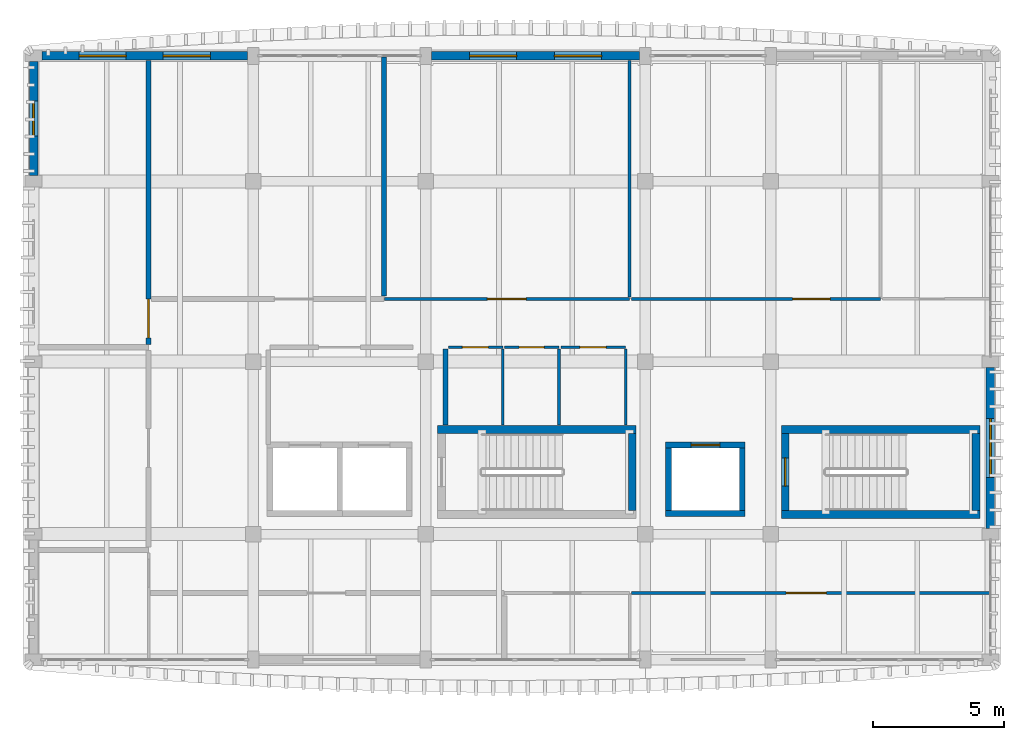
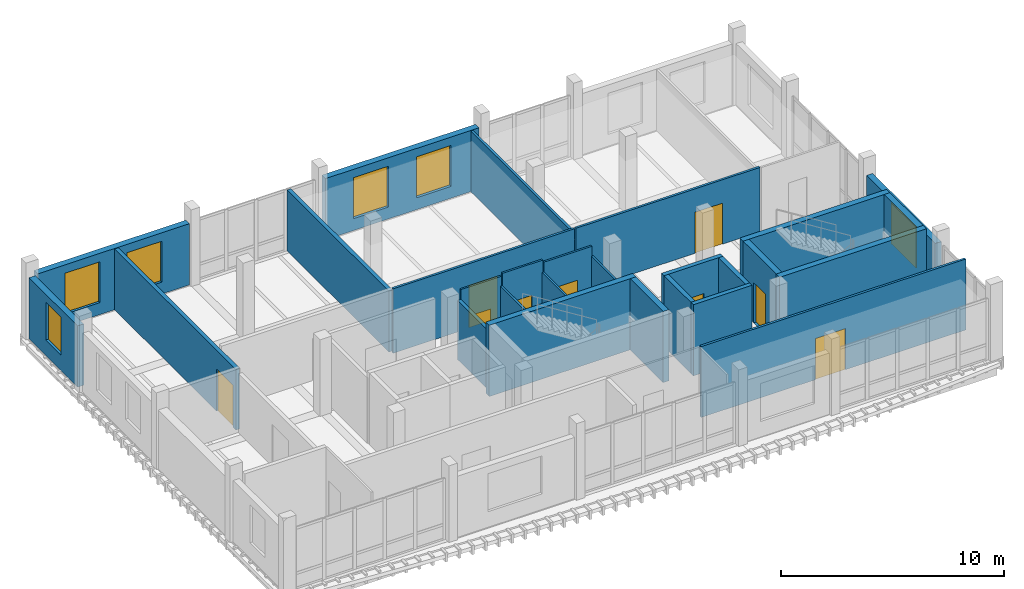
# One storey, part 8 of 16: 27 walls, 9 doors, 6 windows, 15 openings.
"""IFC4 building model written with IfcOpenShell, lengths in metres."""

from ifc_helpers import new_model, si_unit, direction, frame, frame_2d, origin, place, context, subcontext, project, spatial, rectangle, extrude, material, layer, layer_set, type_object, element, fill, save


model = new_model("IFC4")

# Units and contexts
model_context = context("Model", 3, precision=1e-05, world=origin(), true_north=direction((0.0, 1.0)))
body_context = subcontext(model_context, "Body", "Model", "MODEL_VIEW")
ifc_project = project(units=[si_unit("LENGTHUNIT", "METRE"), si_unit("AREAUNIT", "SQUARE_METRE"), si_unit("VOLUMEUNIT", "CUBIC_METRE"), si_unit("PLANEANGLEUNIT", "RADIAN"), si_unit("MASSUNIT", "GRAM", prefix="KILO")], contexts=[model_context])

# Site, building, storey
site_placement = place(None, origin())
site = spatial("IfcSite", under=ifc_project, at=site_placement, CompositionType="ELEMENT")
building_placement = place(site_placement, origin())
building = spatial("IfcBuilding", under=site, at=building_placement, Name="Dornvale Research Institute", CompositionType="ELEMENT")
storey_placement = place(building_placement, frame((0.0, 0.0, 42.60009765625)))
storey = spatial("IfcBuildingStorey", under=building, at=storey_placement, Name="L09", CompositionType="ELEMENT", Elevation=42.60009765625)

# Wall, opening, door
ifc_material_1 = material(Name="Acoustic Insulated Double-Stud Laboratory Partition")
ifc_layer_1 = layer(ifc_material_1, 0.1201171875)
ifc_layer_set_1 = layer_set([ifc_layer_1], Name="Acoustic Insulated Double-Stud Laboratory Partition")
wall_type_1 = type_object("IfcWallType", Name="Partition_Dry_120", PredefinedType="PARTITIONING", material=ifc_layer_set_1)
wall_1_placement = place(storey_placement, frame((18.215087890625, 112.800048828125, 0.0), z_axis=(0.0, 0.0, 1.0), x_axis=(1.0, 0.0, 0.0)))
wall_1 = element("IfcWall", 1, at=wall_1_placement, inside=storey, type_object=wall_type_1, Name="L09 V5 interior partition #594", PredefinedType="PARTITIONING", context=body_context, shape_type="SweptSolid", body=[
    extrude(rectangle(XDim=9.385009765625, YDim=0.1201171875, at=frame_2d((4.6923828125, 0.0))), origin(), (0.0, 0.0, 1.0), 3.52978515625),
])
opening_1_placement = place(wall_1_placement, frame((3.945068359375, 0.0, 0.0)))
opening_1 = element("IfcOpeningElement", 2, at=opening_1_placement, cuts=wall_1, Name="Opening ID-13", PredefinedType="OPENING", context=body_context, shape_type="SweptSolid", body=[
    extrude(rectangle(XDim=1.47998046875, YDim=2.300048828125, at=frame_2d((0.739990234375, 1.14990234375))), frame((0.0, 0.074951171875, 0.0), z_axis=(0.0, -1.0, 0.0), x_axis=(1.0, 0.0, 0.0)), (0.0, 0.0, 1.0), 0.150146484375),
])
ifc_material_2 = material(Name="Insulated Fire-Rated Hollow Metal Door Assembly")
door_type_1 = type_object("IfcDoorType", Name="Door_Archive_1480x2300", OperationType="SINGLE_SWING_LEFT", PredefinedType="DOOR", material=ifc_material_2)
door_1_placement = place(opening_1_placement, origin())
door_1 = element("IfcDoor", 3, at=door_1_placement, inside=storey, type_object=door_type_1, Name="L09 Institute Library Reading Room door #252", OperationType="SINGLE_SWING_LEFT", OverallHeight=2.300048828125, OverallWidth=1.47998046875, PredefinedType="DOOR", context=body_context, shape_type="SweptSolid", body=[
    extrude(rectangle(XDim=1.47998046875, YDim=2.300048828125, at=frame_2d((0.739990234375, 1.14990234375))), frame((0.0, 0.02490234375, 0.0), z_axis=(0.0, -1.0, 0.0), x_axis=(1.0, 0.0, 0.0)), (0.0, 0.0, 1.0), 0.050048828125),
])
fill(opening_1, door_1)

# Wall
wall_2_placement = place(storey_placement, frame((27.60009765625, 112.875, 0.0), z_axis=(0.0, 0.0, 1.0), x_axis=(0.0, 1.0, 0.0)))
element("IfcWall", 4, at=wall_2_placement, inside=storey, type_object=wall_type_1, Name="L09 V5 interior partition #595", PredefinedType="PARTITIONING", context=body_context, shape_type="SweptSolid", body=[
    extrude(rectangle(XDim=9.050048828125, YDim=0.1201171875, at=frame_2d((4.52490234375, 0.0))), origin(), (0.0, 0.0, 1.0), 3.329833984375),
])

# Wall, opening, door
wall_3_placement = place(storey_placement, frame((27.675048828125, 112.800048828125, 0.0), z_axis=(0.0, 0.0, 1.0), x_axis=(1.0, 0.0, 0.0)))
wall_3 = element("IfcWall", 5, at=wall_3_placement, inside=storey, type_object=wall_type_1, Name="L09 V5 interior partition #596", PredefinedType="PARTITIONING", context=body_context, shape_type="SweptSolid", body=[
    extrude(rectangle(XDim=9.52490234375, YDim=0.1201171875, at=frame_2d((4.762451171875, 0.0))), origin(), (0.0, 0.0, 1.0), 3.52978515625),
])
opening_2_placement = place(wall_3_placement, frame((6.155029296875, 0.0, 0.0)))
opening_2 = element("IfcOpeningElement", 6, at=opening_2_placement, cuts=wall_3, Name="Opening ID-07", PredefinedType="OPENING", context=body_context, shape_type="SweptSolid", body=[
    extrude(rectangle(XDim=1.43994140625, YDim=2.25, at=frame_2d((0.719970703125, 1.125))), frame((0.0, 0.074951171875, 0.0), z_axis=(0.0, -1.0, 0.0), x_axis=(1.0, 0.0, 0.0)), (0.0, 0.0, 1.0), 0.150146484375),
])
ifc_material_3 = material(Name="Insulated Fire-Rated Hollow Metal Door Assembly")
door_type_2 = type_object("IfcDoorType", Name="Door_DryLab_1440x2250", OperationType="SINGLE_SWING_LEFT", PredefinedType="DOOR", material=ifc_material_3)
door_2_placement = place(opening_2_placement, origin())
door_2 = element("IfcDoor", 7, at=door_2_placement, inside=storey, type_object=door_type_2, Name="L09 Special Collections Conservation Laboratory door #253", OperationType="SINGLE_SWING_RIGHT", OverallHeight=2.25, OverallWidth=1.43994140625, PredefinedType="DOOR", context=body_context, shape_type="SweptSolid", body=[
    extrude(rectangle(XDim=1.43994140625, YDim=2.25, at=frame_2d((0.719970703125, 1.125))), frame((0.0, 0.02490234375, 0.0), z_axis=(0.0, -1.0, 0.0), x_axis=(1.0, 0.0, 0.0)), (0.0, 0.0, 1.0), 0.050048828125),
])
fill(opening_2, door_2)

wall_4_placement = place(storey_placement, frame((27.6650390625, 101.550048828125, 0.0), z_axis=(0.0, 0.0, 1.0), x_axis=(1.0, 0.0, 0.0)))
wall_4 = element("IfcWall", 8, at=wall_4_placement, inside=storey, type_object=wall_type_1, Name="L09 V5 interior partition #604", PredefinedType="PARTITIONING", context=body_context, shape_type="SweptSolid", body=[
    extrude(rectangle(XDim=13.695068359375, YDim=0.1201171875, at=frame_2d((6.84765625, 0.0))), origin(), (0.0, 0.0, 1.0), 3.8798828125),
])
opening_3_placement = place(wall_4_placement, frame((5.925048828125, 0.0, 0.0)))
opening_3 = element("IfcOpeningElement", 9, at=opening_3_placement, cuts=wall_4, Name="Opening ID-12", PredefinedType="OPENING", context=body_context, shape_type="SweptSolid", body=[
    extrude(rectangle(XDim=1.5400390625, YDim=2.25, at=frame_2d((0.77001953125, 1.125))), frame((0.0, 0.074951171875, 0.0), z_axis=(0.0, -1.0, 0.0), x_axis=(1.0, 0.0, 0.0)), (0.0, 0.0, 1.0), 0.150146484375),
])
ifc_material_4 = material(Name="Phenolic-Faced Solid-Core Laboratory Door Assembly")
door_type_3 = type_object("IfcDoorType", Name="Door_Seminar_1540x2250", OperationType="SINGLE_SWING_LEFT", PredefinedType="DOOR", material=ifc_material_4)
door_3_placement = place(opening_3_placement, origin())
door_3 = element("IfcDoor", 10, at=door_3_placement, inside=storey, type_object=door_type_3, Name="L09 Fellows Seminar Reading Room L09 door #258", OperationType="SINGLE_SWING_LEFT", OverallHeight=2.25, OverallWidth=1.5400390625, PredefinedType="DOOR", context=body_context, shape_type="SweptSolid", body=[
    extrude(rectangle(XDim=1.5400390625, YDim=2.25, at=frame_2d((0.77001953125, 1.125))), frame((0.0, 0.02490234375, 0.0), z_axis=(0.0, -1.0, 0.0), x_axis=(1.0, 0.0, 0.0)), (0.0, 0.0, 1.0), 0.050048828125),
])
fill(opening_3, door_3)

# Wall
ifc_material_5 = material(Name="Fire-Rated Gypsum Board on Cold-Formed Steel Studs", Category="steel")
ifc_layer_2 = layer(ifc_material_5, 0.179931640625)
ifc_layer_set_2 = layer_set([ifc_layer_2], Name="Fire-Rated Gypsum Board on Cold-Formed Steel Studs")
wall_type_2 = type_object("IfcWallType", Name="Partition_FireLobby_180", PredefinedType="PARTITIONING", material=ifc_layer_set_2)
wall_5_placement = place(storey_placement, frame((20.56005859375, 107.97998046875, 0.0), z_axis=(0.0, 0.0, 1.0), x_axis=(0.0, 1.0, 0.0)))
element("IfcWall", 11, at=wall_5_placement, inside=storey, type_object=wall_type_2, Name="L09 Fire Service Access Elevator Lobby east rated partition", PredefinedType="PARTITIONING", context=body_context, shape_type="SweptSolid", body=[
    extrude(rectangle(XDim=2.909912109375, YDim=0.179931640625, at=frame_2d((1.455078125, 0.0))), origin(), (0.0, 0.0, 1.0), 3.22998046875),
])

# Wall, opening, door
ifc_material_6 = material(Name="Fire-Rated Gypsum Board on Cold-Formed Steel Studs", Category="steel")
ifc_layer_3 = layer(ifc_material_6, 0.199951171875)
ifc_layer_set_3 = layer_set([ifc_layer_3], Name="Fire-Rated Gypsum Board on Cold-Formed Steel Studs")
wall_type_3 = type_object("IfcWallType", Name="Partition_FireWall_200", PredefinedType="PARTITIONING", material=ifc_layer_set_3)
wall_6_placement = place(storey_placement, frame((9.199951171875, 111.06494140625, 0.0), z_axis=(0.0, 0.0, 1.0), x_axis=(0.0, 1.0, 0.0)))
wall_6 = element("IfcWall", 12, at=wall_6_placement, inside=storey, type_object=wall_type_3, Name="L09 V5 interior partition #591", PredefinedType="PARTITIONING", context=body_context, shape_type="SweptSolid", body=[
    extrude(rectangle(XDim=10.860107421875, YDim=0.199951171875, at=frame_2d((5.43017578125, 0.0))), origin(), (0.0, 0.0, 1.0), 3.329833984375),
])
opening_4_placement = place(wall_6_placement, frame((0.25, 0.0, 0.0)))
opening_4 = element("IfcOpeningElement", 13, at=opening_4_placement, cuts=wall_6, Name="Opening ID-13", PredefinedType="OPENING", context=body_context, shape_type="SweptSolid", body=[
    extrude(rectangle(XDim=1.47998046875, YDim=2.300048828125, at=frame_2d((0.739990234375, 1.14990234375))), frame((0.0, 0.114990234375, 0.0), z_axis=(0.0, -1.0, 0.0), x_axis=(1.0, 0.0, 0.0)), (0.0, 0.0, 1.0), 0.22998046875),
])
door_4_placement = place(opening_4_placement, origin())
door_4 = element("IfcDoor", 14, at=door_4_placement, inside=storey, type_object=door_type_1, Name="L09 Scientific Archive Stack Room West Alcove door #250", OperationType="SINGLE_SWING_LEFT", OverallHeight=2.300048828125, OverallWidth=1.47998046875, PredefinedType="DOOR", context=body_context, shape_type="SweptSolid", body=[
    extrude(rectangle(XDim=1.47998046875, YDim=2.300048828125, at=frame_2d((0.739990234375, 1.14990234375))), frame((0.0, 0.02490234375, 0.0), z_axis=(0.0, -1.0, 0.0), x_axis=(1.0, 0.0, 0.0)), (0.0, 0.0, 1.0), 0.050048828125),
])
fill(opening_4, door_4)

# Wall
wall_7_placement = place(storey_placement, frame((18.199951171875, 112.9150390625, 0.0), z_axis=(0.0, 0.0, 1.0), x_axis=(0.0, 1.0, 0.0)))
element("IfcWall", 15, at=wall_7_placement, inside=storey, type_object=wall_type_3, Name="L09 V5 interior partition #593", PredefinedType="PARTITIONING", context=body_context, shape_type="SweptSolid", body=[
    extrude(rectangle(XDim=9.14501953125, YDim=0.199951171875, at=frame_2d((4.572509765625, 0.0))), origin(), (0.0, 0.0, 1.0), 3.329833984375),
])

# Wall, opening, door
ifc_material_7 = material(Name="Acoustic Insulated Double-Stud Laboratory Partition")
ifc_layer_4 = layer(ifc_material_7, 0.10009765625)
ifc_layer_set_4 = layer_set([ifc_layer_4], Name="Acoustic Insulated Double-Stud Laboratory Partition")
wall_type_4 = type_object("IfcWallType", Name="Partition_Office_100", PredefinedType="PARTITIONING", material=ifc_layer_set_4)
wall_8_placement = place(storey_placement, frame((20.6650390625, 110.949951171875, 0.0), z_axis=(0.0, 0.0, 1.0), x_axis=(1.0, 0.0, 0.0)))
wall_8 = element("IfcWall", 16, at=wall_8_placement, inside=storey, type_object=wall_type_4, Name="L09 V5 interior partition #582", PredefinedType="PARTITIONING", context=body_context, shape_type="SweptSolid", body=[
    extrude(rectangle(XDim=2.0849609375, YDim=0.10009765625, at=frame_2d((1.04248046875, 0.0))), origin(), (0.0, 0.0, 1.0), 3.744873046875),
])
opening_5_placement = place(wall_8_placement, frame((0.534912109375, 0.0, 0.0)))
opening_5 = element("IfcOpeningElement", 17, at=opening_5_placement, cuts=wall_8, Name="Opening ID-24", PredefinedType="OPENING", context=body_context, shape_type="SweptSolid", body=[
    extrude(rectangle(XDim=1.0, YDim=2.14990234375, at=frame_2d((0.5, 1.074951171875))), frame((0.0, 0.06494140625, 0.0), z_axis=(0.0, -1.0, 0.0), x_axis=(1.0, 0.0, 0.0)), (0.0, 0.0, 1.0), 0.130126953125),
])
ifc_material_8 = material(Name="Phenolic-Faced Solid-Core Laboratory Door Assembly")
door_type_4 = type_object("IfcDoorType", Name="Door_AccWC_1000x2150", OperationType="SINGLE_SWING_LEFT", PredefinedType="DOOR", material=ifc_material_8)
door_5_placement = place(opening_5_placement, origin())
door_5 = element("IfcDoor", 18, at=door_5_placement, inside=storey, type_object=door_type_4, Name="L09 Male Restroom L09 door #246", OperationType="SINGLE_SWING_LEFT", OverallHeight=2.14990234375, OverallWidth=1.0, PredefinedType="DOOR", context=body_context, shape_type="SweptSolid", body=[
    extrude(rectangle(XDim=1.0, YDim=2.14990234375, at=frame_2d((0.5, 1.074951171875))), frame((0.0, 0.02490234375, 0.0), z_axis=(0.0, -1.0, 0.0), x_axis=(1.0, 0.0, 0.0)), (0.0, 0.0, 1.0), 0.050048828125),
])
fill(opening_5, door_5)

# Wall
wall_9_placement = place(storey_placement, frame((22.75, 107.97998046875, 0.0), z_axis=(0.0, 0.0, 1.0), x_axis=(0.0, 1.0, 0.0)))
element("IfcWall", 19, at=wall_9_placement, inside=storey, type_object=wall_type_4, Name="L09 V5 interior partition #583", PredefinedType="PARTITIONING", context=body_context, shape_type="SweptSolid", body=[
    extrude(rectangle(XDim=2.905029296875, YDim=0.10009765625, at=frame_2d((1.45263671875, 0.0))), origin(), (0.0, 0.0, 1.0), 3.22998046875),
])

# Wall, opening, door
wall_10_placement = place(storey_placement, frame((22.81494140625, 110.949951171875, 0.0), z_axis=(0.0, 0.0, 1.0), x_axis=(1.0, 0.0, 0.0)))
wall_10 = element("IfcWall", 20, at=wall_10_placement, inside=storey, type_object=wall_type_4, Name="L09 V5 interior partition #584", PredefinedType="PARTITIONING", context=body_context, shape_type="SweptSolid", body=[
    extrude(rectangle(XDim=2.0849609375, YDim=0.10009765625, at=frame_2d((1.04248046875, 0.0))), origin(), (0.0, 0.0, 1.0), 3.8798828125),
])
opening_6_placement = place(wall_10_placement, frame((0.56005859375, 0.0, 0.0)))
opening_6 = element("IfcOpeningElement", 21, at=opening_6_placement, cuts=wall_10, Name="Opening ID-23", PredefinedType="OPENING", context=body_context, shape_type="SweptSolid", body=[
    extrude(rectangle(XDim=0.949951171875, YDim=2.14990234375, at=frame_2d((0.47509765625, 1.074951171875))), frame((0.0, 0.06494140625, 0.0), z_axis=(0.0, -1.0, 0.0), x_axis=(1.0, 0.0, 0.0)), (0.0, 0.0, 1.0), 0.130126953125),
])
ifc_material_9 = material(Name="Phenolic-Faced Solid-Core Laboratory Door Assembly")
door_type_5 = type_object("IfcDoorType", Name="Door_WC_950x2150", OperationType="SINGLE_SWING_LEFT", PredefinedType="DOOR", material=ifc_material_9)
door_6_placement = place(opening_6_placement, origin())
door_6 = element("IfcDoor", 22, at=door_6_placement, inside=storey, type_object=door_type_5, Name="L09 Female Restroom L09 door #247", OperationType="SINGLE_SWING_RIGHT", OverallHeight=2.14990234375, OverallWidth=0.949951171875, PredefinedType="DOOR", context=body_context, shape_type="SweptSolid", body=[
    extrude(rectangle(XDim=0.949951171875, YDim=2.14990234375, at=frame_2d((0.47509765625, 1.074951171875))), frame((0.0, 0.02490234375, 0.0), z_axis=(0.0, -1.0, 0.0), x_axis=(1.0, 0.0, 0.0)), (0.0, 0.0, 1.0), 0.050048828125),
])
fill(opening_6, door_6)

# Wall
wall_11_placement = place(storey_placement, frame((24.89990234375, 107.97998046875, 0.0), z_axis=(0.0, 0.0, 1.0), x_axis=(0.0, 1.0, 0.0)))
element("IfcWall", 23, at=wall_11_placement, inside=storey, type_object=wall_type_4, Name="L09 V5 interior partition #585", PredefinedType="PARTITIONING", context=body_context, shape_type="SweptSolid", body=[
    extrude(rectangle(XDim=2.905029296875, YDim=0.10009765625, at=frame_2d((1.45263671875, 0.0))), origin(), (0.0, 0.0, 1.0), 3.22998046875),
])

# Wall, opening, door
wall_12_placement = place(storey_placement, frame((24.965087890625, 110.949951171875, 0.0), z_axis=(0.0, 0.0, 1.0), x_axis=(1.0, 0.0, 0.0)))
wall_12 = element("IfcWall", 24, at=wall_12_placement, inside=storey, type_object=wall_type_4, Name="L09 V5 interior partition #586", PredefinedType="PARTITIONING", context=body_context, shape_type="SweptSolid", body=[
    extrude(rectangle(XDim=2.48486328125, YDim=0.10009765625, at=frame_2d((1.242431640625, 0.0))), origin(), (0.0, 0.0, 1.0), 3.744873046875),
])
opening_7_placement = place(wall_12_placement, frame((0.735107421875, 0.0, 0.0)))
opening_7 = element("IfcOpeningElement", 25, at=opening_7_placement, cuts=wall_12, Name="Opening ID-24", PredefinedType="OPENING", context=body_context, shape_type="SweptSolid", body=[
    extrude(rectangle(XDim=1.0, YDim=2.14990234375, at=frame_2d((0.5, 1.074951171875))), frame((0.0, 0.06494140625, 0.0), z_axis=(0.0, -1.0, 0.0), x_axis=(1.0, 0.0, 0.0)), (0.0, 0.0, 1.0), 0.130126953125),
])
door_7_placement = place(opening_7_placement, origin())
door_7 = element("IfcDoor", 26, at=door_7_placement, inside=storey, type_object=door_type_4, Name="L09 Accessible Restroom L09 door #248", OperationType="SINGLE_SWING_LEFT", OverallHeight=2.14990234375, OverallWidth=1.0, PredefinedType="DOOR", context=body_context, shape_type="SweptSolid", body=[
    extrude(rectangle(XDim=1.0, YDim=2.14990234375, at=frame_2d((0.5, 1.074951171875))), frame((0.0, 0.02490234375, 0.0), z_axis=(0.0, -1.0, 0.0), x_axis=(1.0, 0.0, 0.0)), (0.0, 0.0, 1.0), 0.050048828125),
])
fill(opening_7, door_7)

# Walls
wall_13_placement = place(storey_placement, frame((27.449951171875, 107.97998046875, 0.0), z_axis=(0.0, 0.0, 1.0), x_axis=(0.0, 1.0, 0.0)))
element("IfcWall", 27, at=wall_13_placement, inside=storey, type_object=wall_type_4, Name="L09 V5 interior partition #587", PredefinedType="PARTITIONING", context=body_context, shape_type="SweptSolid", body=[
    extrude(rectangle(XDim=2.905029296875, YDim=0.10009765625, at=frame_2d((1.45263671875, 0.0))), origin(), (0.0, 0.0, 1.0), 3.22998046875),
])
ifc_material_10 = material(Name="Concrete f'c 50 MPa (C40/50)", Category="concrete")
ifc_layer_5 = layer(ifc_material_10, 0.300048828125)
ifc_layer_set_5 = layer_set([ifc_layer_5], Name="Concrete f'c 50 MPa (C40/50)")
wall_type_5 = type_object("IfcWallType", Name="ShearWall_Core_300", PredefinedType="SHEAR", material=ifc_layer_set_5)
wall_14_placement = place(storey_placement, frame((20.25, 107.81005859375, 0.0), z_axis=(0.0, 0.0, 1.0), x_axis=(1.0, 0.0, 0.0)))
element("IfcWall", 28, at=wall_14_placement, inside=storey, type_object=wall_type_5, Name="L09 ST-1 shaft shear wall north", PredefinedType="SHEAR", context=body_context, shape_type="SweptSolid", body=[
    extrude(rectangle(XDim=7.60009765625, YDim=0.300048828125, at=frame_2d((3.800048828125, 0.0))), origin(), (0.0, 0.0, 1.0), 3.89990234375),
])
wall_15_placement = place(storey_placement, frame((27.699951171875, 104.699951171875, 0.0), z_axis=(0.0, 0.0, 1.0), x_axis=(0.0, 1.0, 0.0)))
element("IfcWall", 29, at=wall_15_placement, inside=storey, type_object=wall_type_5, Name="L09 ST-1 shaft shear wall east", PredefinedType="SHEAR", context=body_context, shape_type="SweptSolid", body=[
    extrude(rectangle(XDim=2.9599609375, YDim=0.300048828125, at=frame_2d((1.47998046875, 0.0))), origin(), (0.0, 0.0, 1.0), 3.89990234375),
])
for number, where, z_axis, x_axis, name in (
    (30, (33.39990234375, 104.550048828125, 0.0), (0.0, 0.0, 1.0), (1.0, 0.0, 0.0), "L09 ST-2 shaft shear wall south"),
    (31, (33.39990234375, 107.81005859375, 0.0), (0.0, 0.0, 1.0), (1.0, 0.0, 0.0), "L09 ST-2 shaft shear wall north"),
):
    element("IfcWall", number, at=place(storey_placement, frame(where, z_axis=z_axis, x_axis=x_axis)), inside=storey, type_object=wall_type_5, Name=name, PredefinedType="SHEAR", context=body_context, shape_type="SweptSolid", body=[
        extrude(rectangle(XDim=7.60009765625, YDim=0.300048828125, at=frame_2d((3.800048828125, 0.0))), origin(), (0.0, 0.0, 1.0), 3.89990234375),
    ])

# Wall, opening, door
wall_16_placement = place(storey_placement, frame((33.550048828125, 104.699951171875, 0.0), z_axis=(0.0, 0.0, 1.0), x_axis=(0.0, 1.0, 0.0)))
wall_16 = element("IfcWall", 32, at=wall_16_placement, inside=storey, type_object=wall_type_5, Name="L09 ST-2 shaft shear wall west", PredefinedType="SHEAR", context=body_context, shape_type="SweptSolid", body=[
    extrude(rectangle(XDim=2.9599609375, YDim=0.300048828125, at=frame_2d((1.47998046875, 0.0))), origin(), (0.0, 0.0, 1.0), 3.89990234375),
])
opening_8_placement = place(wall_16_placement, frame((0.93994140625, 0.0, 0.0)))
opening_8 = element("IfcOpeningElement", 33, at=opening_8_placement, cuts=wall_16, Name="Opening SD-02", PredefinedType="OPENING", context=body_context, shape_type="SweptSolid", body=[
    extrude(rectangle(XDim=1.080078125, YDim=2.199951171875, at=frame_2d((0.5400390625, 1.10009765625))), frame((0.0, 0.1650390625, 0.0), z_axis=(0.0, -1.0, 0.0), x_axis=(1.0, 0.0, 0.0)), (0.0, 0.0, 1.0), 0.330078125),
])
ifc_material_11 = material(Name="Insulated Fire-Rated Hollow Metal Door Assembly")
door_type_6 = type_object("IfcDoorType", Name="Door_Stair_1080x2200", OperationType="SINGLE_SWING_LEFT", PredefinedType="DOOR", material=ifc_material_11)
door_8_placement = place(opening_8_placement, origin())
door_8 = element("IfcDoor", 34, at=door_8_placement, inside=storey, type_object=door_type_6, Name="L09 ST-2 exit stair door #23", OperationType="SINGLE_SWING_RIGHT", OverallHeight=2.199951171875, OverallWidth=1.080078125, PredefinedType="DOOR", context=body_context, shape_type="SweptSolid", body=[
    extrude(rectangle(XDim=1.080078125, YDim=2.199951171875, at=frame_2d((0.5400390625, 1.10009765625))), frame((0.0, 0.02490234375, 0.0), z_axis=(0.0, -1.0, 0.0), x_axis=(1.0, 0.0, 0.0)), (0.0, 0.0, 1.0), 0.050048828125),
])
fill(opening_8, door_8)

# Walls
wall_17_placement = place(storey_placement, frame((40.85009765625, 104.699951171875, 0.0), z_axis=(0.0, 0.0, 1.0), x_axis=(0.0, 1.0, 0.0)))
element("IfcWall", 35, at=wall_17_placement, inside=storey, type_object=wall_type_5, Name="L09 ST-2 shaft shear wall east", PredefinedType="SHEAR", context=body_context, shape_type="SweptSolid", body=[
    extrude(rectangle(XDim=2.9599609375, YDim=0.300048828125, at=frame_2d((1.47998046875, 0.0))), origin(), (0.0, 0.0, 1.0), 3.89990234375),
])
ifc_material_12 = material(Name="Concrete f'c 45 MPa (C35/45)", Category="concrete")
ifc_layer_6 = layer(ifc_material_12, 0.219970703125)
ifc_layer_set_6 = layer_set([ifc_layer_6], Name="Concrete f'c 45 MPa (C35/45)")
wall_type_6 = type_object("IfcWallType", Name="ShearWall_Shaft_220", PredefinedType="SHEAR", material=ifc_layer_set_6)
wall_18_placement = place(storey_placement, frame((28.97998046875, 104.590087890625, 0.0), z_axis=(0.0, 0.0, 1.0), x_axis=(1.0, 0.0, 0.0)))
element("IfcWall", 36, at=wall_18_placement, inside=storey, type_object=wall_type_6, Name="L09 LP1 elevator shaft wall south", PredefinedType="SHEAR", context=body_context, shape_type="SweptSolid", body=[
    extrude(rectangle(XDim=3.0400390625, YDim=0.219970703125, at=frame_2d((1.52001953125, 0.0))), origin(), (0.0, 0.0, 1.0), 3.89990234375),
])

# Wall, opening, door
wall_19_placement = place(storey_placement, frame((28.97998046875, 107.2099609375, 0.0), z_axis=(0.0, 0.0, 1.0), x_axis=(1.0, 0.0, 0.0)))
wall_19 = element("IfcWall", 37, at=wall_19_placement, inside=storey, type_object=wall_type_6, Name="L09 LP1 elevator shaft wall north", PredefinedType="SHEAR", context=body_context, shape_type="SweptSolid", body=[
    extrude(rectangle(XDim=3.0400390625, YDim=0.219970703125, at=frame_2d((1.52001953125, 0.0))), origin(), (0.0, 0.0, 1.0), 3.89990234375),
])
opening_9_placement = place(wall_19_placement, frame((0.969970703125, 0.0, 0.0)))
opening_9 = element("IfcOpeningElement", 38, at=opening_9_placement, cuts=wall_19, Name="Opening LD-02", PredefinedType="OPENING", context=body_context, shape_type="SweptSolid", body=[
    extrude(rectangle(XDim=1.10009765625, YDim=2.199951171875, at=frame_2d((0.550048828125, 1.10009765625))), frame((0.0, 0.125, 0.0), z_axis=(0.0, -1.0, 0.0), x_axis=(1.0, 0.0, 0.0)), (0.0, 0.0, 1.0), 0.25),
])
ifc_material_13 = material(Name="Brushed Stainless Steel Sliding Elevator Landing Door", Category="steel")
door_type_7 = type_object("IfcDoorType", Name="Door_LiftLanding_Pass_1100x2200", OperationType="SINGLE_SWING_LEFT", PredefinedType="DOOR", material=ifc_material_13)
door_9_placement = place(opening_9_placement, origin())
door_9 = element("IfcDoor", 39, at=door_9_placement, inside=storey, type_object=door_type_7, Name="L09 LP1 sliding elevator landing door #35", OperationType="SLIDING_TO_LEFT", OverallHeight=2.199951171875, OverallWidth=1.10009765625, PredefinedType="DOOR", context=body_context, shape_type="SweptSolid", body=[
    extrude(rectangle(XDim=1.10009765625, YDim=2.199951171875, at=frame_2d((0.550048828125, 1.10009765625))), frame((0.0, 0.02490234375, 0.0), z_axis=(0.0, -1.0, 0.0), x_axis=(1.0, 0.0, 0.0)), (0.0, 0.0, 1.0), 0.050048828125),
])
fill(opening_9, door_9)

# Walls
for number, where, z_axis, x_axis, name in (
    (40, (29.090087890625, 104.699951171875, 0.0), (0.0, 0.0, 1.0), (0.0, 1.0, 0.0), "L09 LP1 elevator shaft wall west"),
    (41, (31.909912109375, 104.699951171875, 0.0), (0.0, 0.0, 1.0), (0.0, 1.0, 0.0), "L09 LP1 elevator shaft wall east"),
):
    element("IfcWall", number, at=place(storey_placement, frame(where, z_axis=z_axis, x_axis=x_axis)), inside=storey, type_object=wall_type_6, Name=name, PredefinedType="SHEAR", context=body_context, shape_type="SweptSolid", body=[
        extrude(rectangle(XDim=2.400146484375, YDim=0.219970703125, at=frame_2d((1.2001953125, 0.0))), origin(), (0.0, 0.0, 1.0), 3.89990234375),
    ])

# Wall, opening, window
ifc_material_14 = material(Name="Catalan Pressed Brick and Insulated Cavity Assembly", Category="masonry")
ifc_layer_7 = layer(ifc_material_14, 0.320068359375)
ifc_layer_set_7 = layer_set([ifc_layer_7], Name="Catalan Pressed Brick and Insulated Cavity Assembly")
wall_type_7 = type_object("IfcWallType", Name="StandardWall_BrickCavity_320", PredefinedType="STANDARD", material=ifc_layer_set_7)
wall_20_placement = place(storey_placement, frame((4.800048828125, 117.52490234375, 0.0), z_axis=(0.0, 0.0, 1.0), x_axis=(0.0, 1.0, 0.0)))
wall_20 = element("IfcWall", 42, at=wall_20_placement, inside=storey, type_object=wall_type_7, Name="L09 V5 west exterior wall #406", PredefinedType="STANDARD", context=body_context, shape_type="SweptSolid", body=[
    extrude(rectangle(XDim=4.35009765625, YDim=0.320068359375, at=frame_2d((2.175048828125, 0.0))), origin(), (0.0, 0.0, 1.0), 3.349853515625),
])
opening_10_placement = place(wall_20_placement, frame((1.5, 0.0, 0.85009765625)))
opening_10 = element("IfcOpeningElement", 43, at=opening_10_placement, cuts=wall_20, Name="Opening W-38", PredefinedType="OPENING", context=body_context, shape_type="SweptSolid", body=[
    extrude(rectangle(XDim=1.35009765625, YDim=2.080078125, at=frame_2d((0.675048828125, 1.0400390625))), frame((0.0, 0.175048828125, 0.0), z_axis=(0.0, -1.0, 0.0), x_axis=(1.0, 0.0, 0.0)), (0.0, 0.0, 1.0), 0.35009765625),
])
ifc_material_15 = material(Name="Low-E Argon Double Insulating Glazing Unit", Category="glass")
window_type_1 = type_object("IfcWindowType", Name="Window_Alu_1350x2080_38", PartitioningType="SINGLE_PANEL", PredefinedType="WINDOW", material=ifc_material_15)
window_1_placement = place(opening_10_placement, origin())
window_1 = element("IfcWindow", 44, at=window_1_placement, inside=storey, type_object=window_type_1, Name="L09 V5 facade window W-38 #541", OverallHeight=2.080078125, OverallWidth=1.35009765625, PartitioningType="SINGLE_PANEL", PredefinedType="WINDOW", context=body_context, shape_type="SweptSolid", body=[
    extrude(rectangle(XDim=1.35009765625, YDim=2.080078125, at=frame_2d((0.675048828125, 1.0400390625))), frame((0.0, 0.030029296875, 0.0), z_axis=(0.0, -1.0, 0.0), x_axis=(1.0, 0.0, 0.0)), (0.0, 0.0, 1.0), 0.06005859375),
])
fill(opening_10, window_1)

# Wall, openings, windows
wall_21_placement = place(storey_placement, frame((5.125, 122.10009765625, 0.0), z_axis=(0.0, 0.0, 1.0), x_axis=(1.0, 0.0, 0.0)))
wall_21 = element("IfcWall", 45, at=wall_21_placement, inside=storey, type_object=wall_type_7, Name="L09 V5 north exterior wall #407", PredefinedType="STANDARD", context=body_context, shape_type="SweptSolid", body=[
    extrude(rectangle(XDim=7.85009765625, YDim=0.320068359375, at=frame_2d((3.925048828125, 0.0))), origin(), (0.0, 0.0, 1.0), 3.349853515625),
])
opening_11_placement = place(wall_21_placement, frame((1.416748046875, 0.0, 0.64990234375)))
opening_11 = element("IfcOpeningElement", 46, at=opening_11_placement, cuts=wall_21, Name="Opening W-41", PredefinedType="OPENING", context=body_context, shape_type="SweptSolid", body=[
    extrude(rectangle(XDim=1.800048828125, YDim=2.239990234375, at=frame_2d((0.89990234375, 1.1201171875))), frame((0.0, 0.175048828125, 0.0), z_axis=(0.0, -1.0, 0.0), x_axis=(1.0, 0.0, 0.0)), (0.0, 0.0, 1.0), 0.35009765625),
])
opening_12_placement = place(wall_21_placement, frame((4.63330078125, 0.0, 0.64990234375)))
opening_12 = element("IfcOpeningElement", 47, at=opening_12_placement, cuts=wall_21, Name="Opening W-41", PredefinedType="OPENING", context=body_context, shape_type="SweptSolid", body=[
    extrude(rectangle(XDim=1.800048828125, YDim=2.239990234375, at=frame_2d((0.89990234375, 1.1201171875))), frame((0.0, 0.175048828125, 0.0), z_axis=(0.0, -1.0, 0.0), x_axis=(1.0, 0.0, 0.0)), (0.0, 0.0, 1.0), 0.35009765625),
])
ifc_material_16 = material(Name="Low-E Argon Double Insulating Glazing Unit", Category="glass")
window_type_2 = type_object("IfcWindowType", Name="Window_Alu_1800x2240_41", PartitioningType="DOUBLE_PANEL_VERTICAL", PredefinedType="WINDOW", material=ifc_material_16)
window_2_placement = place(opening_11_placement, origin())
window_2 = element("IfcWindow", 48, at=window_2_placement, inside=storey, type_object=window_type_2, Name="L09 V5 facade window W-41 #542", OverallHeight=2.239990234375, OverallWidth=1.800048828125, PartitioningType="DOUBLE_PANEL_VERTICAL", PredefinedType="WINDOW", context=body_context, shape_type="SweptSolid", body=[
    extrude(rectangle(XDim=1.800048828125, YDim=2.239990234375, at=frame_2d((0.89990234375, 1.1201171875))), frame((0.0, 0.030029296875, 0.0), z_axis=(0.0, -1.0, 0.0), x_axis=(1.0, 0.0, 0.0)), (0.0, 0.0, 1.0), 0.06005859375),
])
fill(opening_11, window_2)
window_3_placement = place(opening_12_placement, origin())
window_3 = element("IfcWindow", 49, at=window_3_placement, inside=storey, type_object=window_type_2, Name="L09 V5 facade window W-41 #543", OverallHeight=2.239990234375, OverallWidth=1.800048828125, PartitioningType="DOUBLE_PANEL_VERTICAL", PredefinedType="WINDOW", context=body_context, shape_type="SweptSolid", body=[
    extrude(rectangle(XDim=1.800048828125, YDim=2.239990234375, at=frame_2d((0.89990234375, 1.1201171875))), frame((0.0, 0.030029296875, 0.0), z_axis=(0.0, -1.0, 0.0), x_axis=(1.0, 0.0, 0.0)), (0.0, 0.0, 1.0), 0.06005859375),
])
fill(opening_12, window_3)

wall_22_placement = place(storey_placement, frame((20.02490234375, 122.10009765625, 0.0), z_axis=(0.0, 0.0, 1.0), x_axis=(1.0, 0.0, 0.0)))
wall_22 = element("IfcWall", 50, at=wall_22_placement, inside=storey, type_object=wall_type_7, Name="L09 V5 north exterior wall #408", PredefinedType="STANDARD", context=body_context, shape_type="SweptSolid", body=[
    extrude(rectangle(XDim=7.9501953125, YDim=0.320068359375, at=frame_2d((3.97509765625, 0.0))), origin(), (0.0, 0.0, 1.0), 3.349853515625),
])
opening_13_placement = place(wall_22_placement, frame((1.449951171875, 0.0, 0.64990234375)))
opening_13 = element("IfcOpeningElement", 51, at=opening_13_placement, cuts=wall_22, Name="Opening W-41", PredefinedType="OPENING", context=body_context, shape_type="SweptSolid", body=[
    extrude(rectangle(XDim=1.800048828125, YDim=2.239990234375, at=frame_2d((0.89990234375, 1.1201171875))), frame((0.0, 0.175048828125, 0.0), z_axis=(0.0, -1.0, 0.0), x_axis=(1.0, 0.0, 0.0)), (0.0, 0.0, 1.0), 0.35009765625),
])
opening_14_placement = place(wall_22_placement, frame((4.699951171875, 0.0, 0.64990234375)))
opening_14 = element("IfcOpeningElement", 52, at=opening_14_placement, cuts=wall_22, Name="Opening W-41", PredefinedType="OPENING", context=body_context, shape_type="SweptSolid", body=[
    extrude(rectangle(XDim=1.800048828125, YDim=2.239990234375, at=frame_2d((0.89990234375, 1.1201171875))), frame((0.0, 0.175048828125, 0.0), z_axis=(0.0, -1.0, 0.0), x_axis=(1.0, 0.0, 0.0)), (0.0, 0.0, 1.0), 0.35009765625),
])
window_4_placement = place(opening_13_placement, origin())
window_4 = element("IfcWindow", 53, at=window_4_placement, inside=storey, type_object=window_type_2, Name="L09 V5 facade window W-41 #544", OverallHeight=2.239990234375, OverallWidth=1.800048828125, PartitioningType="DOUBLE_PANEL_VERTICAL", PredefinedType="WINDOW", context=body_context, shape_type="SweptSolid", body=[
    extrude(rectangle(XDim=1.800048828125, YDim=2.239990234375, at=frame_2d((0.89990234375, 1.1201171875))), frame((0.0, 0.030029296875, 0.0), z_axis=(0.0, -1.0, 0.0), x_axis=(1.0, 0.0, 0.0)), (0.0, 0.0, 1.0), 0.06005859375),
])
fill(opening_13, window_4)
window_5_placement = place(opening_14_placement, origin())
window_5 = element("IfcWindow", 54, at=window_5_placement, inside=storey, type_object=window_type_2, Name="L09 V5 facade window W-41 #545", OverallHeight=2.239990234375, OverallWidth=1.800048828125, PartitioningType="DOUBLE_PANEL_VERTICAL", PredefinedType="WINDOW", context=body_context, shape_type="SweptSolid", body=[
    extrude(rectangle(XDim=1.800048828125, YDim=2.239990234375, at=frame_2d((0.89990234375, 1.1201171875))), frame((0.0, 0.030029296875, 0.0), z_axis=(0.0, -1.0, 0.0), x_axis=(1.0, 0.0, 0.0)), (0.0, 0.0, 1.0), 0.06005859375),
])
fill(opening_14, window_5)

# Wall, opening, window
wall_23_placement = place(storey_placement, frame((41.39990234375, 110.175048828125, 0.0), z_axis=(0.0, 0.0, 1.0), x_axis=(0.0, -1.0, 0.0)))
wall_23 = element("IfcWall", 55, at=wall_23_placement, inside=storey, type_object=wall_type_7, Name="L09 V5 east exterior wall #411", PredefinedType="STANDARD", context=body_context, shape_type="SweptSolid", body=[
    extrude(rectangle(XDim=6.150146484375, YDim=0.320068359375, at=frame_2d((3.0751953125, 0.0))), origin(), (0.0, 0.0, 1.0), 3.22998046875),
])
opening_15_placement = place(wall_23_placement, frame((1.949951171875, 0.0, 0.64990234375)))
opening_15 = element("IfcOpeningElement", 56, at=opening_15_placement, cuts=wall_23, Name="Opening W-44", PredefinedType="OPENING", context=body_context, shape_type="SweptSolid", body=[
    extrude(rectangle(XDim=2.25, YDim=2.239990234375, at=frame_2d((1.125, 1.1201171875))), frame((0.0, 0.175048828125, 0.0), z_axis=(0.0, -1.0, 0.0), x_axis=(1.0, 0.0, 0.0)), (0.0, 0.0, 1.0), 0.35009765625),
])
ifc_material_17 = material(Name="Low-E Argon Double Insulating Glazing Unit", Category="glass")
window_type_3 = type_object("IfcWindowType", Name="Window_Alu_2250x2240_44", PartitioningType="DOUBLE_PANEL_VERTICAL", PredefinedType="WINDOW", material=ifc_material_17)
window_6_placement = place(opening_15_placement, origin())
window_6 = element("IfcWindow", 57, at=window_6_placement, inside=storey, type_object=window_type_3, Name="L09 V5 facade window W-44 #549", OverallHeight=2.239990234375, OverallWidth=2.25, PartitioningType="DOUBLE_PANEL_VERTICAL", PredefinedType="WINDOW", context=body_context, shape_type="SweptSolid", body=[
    extrude(rectangle(XDim=2.25, YDim=2.239990234375, at=frame_2d((1.125, 1.1201171875))), frame((0.0, 0.030029296875, 0.0), z_axis=(0.0, -1.0, 0.0), x_axis=(1.0, 0.0, 0.0)), (0.0, 0.0, 1.0), 0.06005859375),
])
fill(opening_15, window_6)

save(model, "model.ifc")
